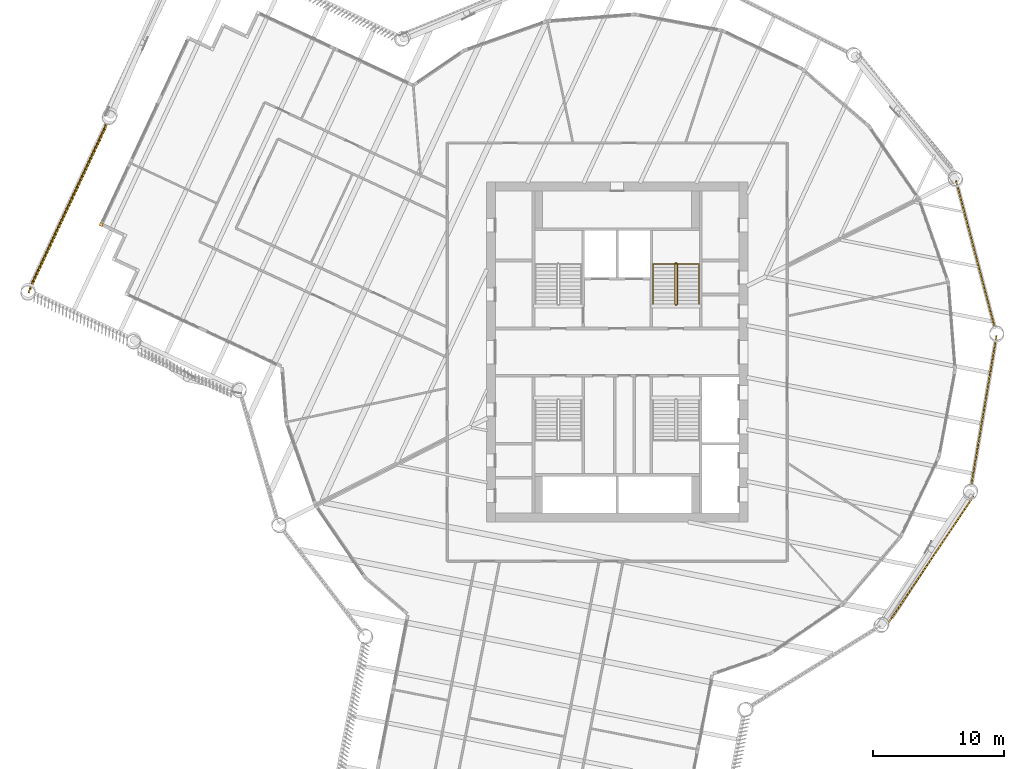
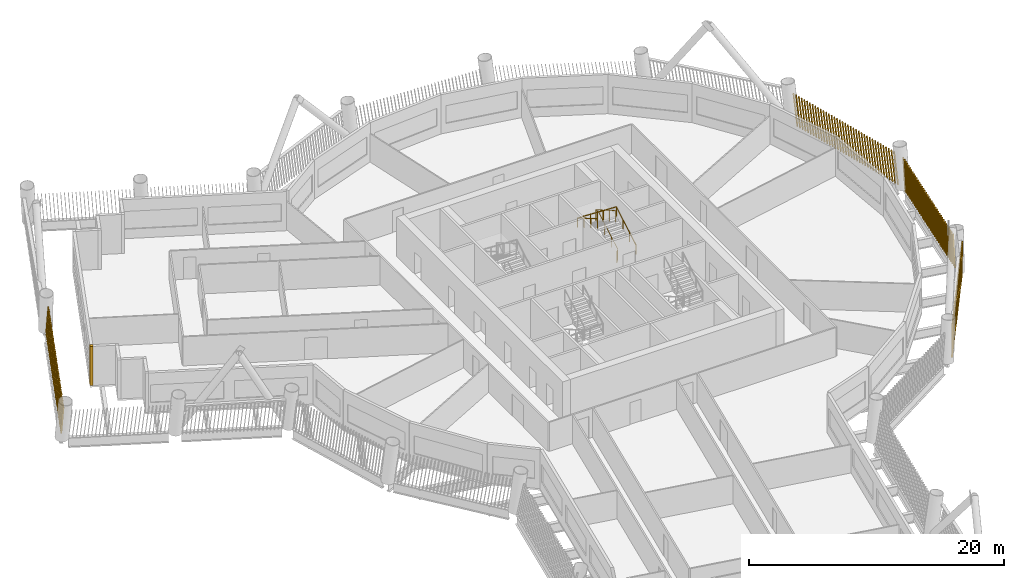
# One storey, part 22 of 24: 5 shading devices, 2 railings.
"""IFC4 building model written with IfcOpenShell, lengths in metres."""

from ifc_helpers import new_model, si_unit, direction, frame, frame_2d, origin, origin_2d, place, context, subcontext, project, spatial, rectangle, circle, composite_profile, extrude, material, type_object, element, save


model = new_model("IFC4")

# Units and contexts
model_context = context("Model", 3, precision=1e-05, world=origin(), true_north=direction((0.0, 1.0)))
body_context = subcontext(model_context, "Body", "Model", "MODEL_VIEW")
ifc_project = project(units=[si_unit("LENGTHUNIT", "METRE"), si_unit("AREAUNIT", "SQUARE_METRE"), si_unit("VOLUMEUNIT", "CUBIC_METRE"), si_unit("PLANEANGLEUNIT", "RADIAN"), si_unit("MASSUNIT", "GRAM", prefix="KILO")], contexts=[model_context])

# Site, building, storey
site_placement = place(None, origin())
site = spatial("IfcSite", under=ifc_project, at=site_placement, CompositionType="ELEMENT")
building_placement = place(site_placement, origin())
building = spatial("IfcBuilding", under=site, at=building_placement, Name="Tarsis Ring Headquarters", CompositionType="ELEMENT")
storey_placement = place(building_placement, frame((0.0, 0.0, 178.800048828125)))
storey = spatial("IfcBuildingStorey", under=building, at=storey_placement, Name="L41", CompositionType="ELEMENT", Elevation=178.800048828125)

# Railings
ifc_material_1 = material(Name="Steel S355", Category="steel")
railing_type_1 = type_object("IfcRailingType", Name="Core stair guard 1100", PredefinedType="GUARDRAIL", material=ifc_material_1)
railing_1_placement = place(storey_placement, frame((4.4599609375, 3.610107421875, 0.0)))
element("IfcRailing", 1, at=railing_1_placement, inside=storey, type_object=railing_type_1, Name="L41 ST2 stair guard 1", PredefinedType="GUARDRAIL", context=body_context, shape_type="SweptSolid", body=[
    extrude(circle(Radius=0.02392578125, at=origin_2d()), frame((0.0, 0.0, 1.076171875), z_axis=(1.0, 0.0, 0.0), x_axis=(0.0, 1.0, 0.0)), (0.0, 0.0, 1.0), 0.080078125),
    extrude(circle(Radius=0.02392578125, at=origin_2d()), frame((0.080078125, 0.0, 1.076171875), z_axis=(0.282693820306, 0.281314826061, 0.917031173188), x_axis=(-0.705375805398, 0.708833529934, 0.0)), (0.0, 0.0, 1.0), 0.177001953125),
    extrude(circle(Radius=0.02392578125, at=origin_2d()), frame((0.130126953125, 0.0498046875, 1.23828125), z_axis=(0.0, 0.864890721111, 0.501960198159), x_axis=(-1.0, 0.0, 0.0)), (0.0, 0.0, 1.0), 3.561279296875),
    extrude(circle(Radius=0.02392578125, at=origin_2d()), frame((0.130126953125, 3.1298828125, 3.02587890625), z_axis=(-0.707106781187, 0.707106781187, 0.0), x_axis=(-0.707106781187, -0.707106781187, 0.0)), (0.0, 0.0, 1.0), 0.07080078125),
    extrude(circle(Radius=0.02392578125, at=origin_2d()), frame((0.080078125, 3.179931640625, 3.02587890625), z_axis=(-1.0, 0.0, 0.0), x_axis=(0.0, -1.0, 0.0)), (0.0, 0.0, 1.0), 0.080078125),
    extrude(circle(Radius=0.02392578125, at=origin_2d()), frame((0.0, 3.179931640625, 3.02587890625), z_axis=(-0.282227285176, -0.282227285176, 0.916894497205), x_axis=(0.707106781187, -0.707106781187, 0.0)), (0.0, 0.0, 1.0), 0.17724609375),
    extrude(circle(Radius=0.02392578125, at=origin_2d()), frame((-0.050048828125, 3.1298828125, 3.1884765625), z_axis=(0.0, -0.864920483161, 0.501908913857), x_axis=(1.0, 0.0, 0.0)), (0.0, 0.0, 1.0), 3.56103515625),
    extrude(circle(Radius=0.02099609375, at=origin_2d()), origin(), (0.0, 0.0, 1.0), 1.052001953125),
    extrude(circle(Radius=0.02099609375, at=origin_2d()), frame((0.080078125, 0.0, 0.0)), (0.0, 0.0, 1.0), 1.052001953125),
    extrude(circle(Radius=0.02099609375, at=origin_2d()), frame((0.130126953125, 0.0498046875, 0.162353515625)), (0.0, 0.0, 1.0), 1.052001953125),
    extrude(circle(Radius=0.02099609375, at=origin_2d()), frame((0.130126953125, 1.076416015625, 0.75830078125)), (0.0, 0.0, 1.0), 1.052001953125),
    extrude(circle(Radius=0.02099609375, at=origin_2d()), frame((0.130126953125, 2.103271484375, 1.35400390625)), (0.0, 0.0, 1.0), 1.052001953125),
    extrude(circle(Radius=0.02099609375, at=origin_2d()), frame((0.130126953125, 3.1298828125, 1.949951171875)), (0.0, 0.0, 1.0), 1.052001953125),
    extrude(circle(Radius=0.02099609375, at=origin_2d()), frame((0.080078125, 3.179931640625, 1.949951171875)), (0.0, 0.0, 1.0), 1.052001953125),
    extrude(circle(Radius=0.02099609375, at=origin_2d()), frame((0.0, 3.179931640625, 1.949951171875)), (0.0, 0.0, 1.0), 1.052001953125),
    extrude(circle(Radius=0.02099609375, at=origin_2d()), frame((-0.050048828125, 3.1298828125, 2.112548828125)), (0.0, 0.0, 1.0), 1.052001953125),
    extrude(circle(Radius=0.02099609375, at=origin_2d()), frame((-0.050048828125, 2.103271484375, 2.708251953125)), (0.0, 0.0, 1.0), 1.052001953125),
    extrude(circle(Radius=0.02099609375, at=origin_2d()), frame((-0.050048828125, 1.076416015625, 3.30419921875)), (0.0, 0.0, 1.0), 1.052001953125),
    extrude(circle(Radius=0.02099609375, at=origin_2d()), frame((-0.050048828125, 0.0498046875, 3.89990234375)), (0.0, 0.0, 1.0), 1.052001953125),
])
railing_type_2 = type_object("IfcRailingType", Name="Core stair handrail 900", PredefinedType="HANDRAIL", material=ifc_material_1)
railing_2_placement = place(storey_placement, frame((6.25, 3.659912109375, 0.162353515625)))
element("IfcRailing", 2, at=railing_2_placement, inside=storey, type_object=railing_type_2, Name="L41 ST2 stair handrail 1", PredefinedType="HANDRAIL", context=body_context, shape_type="SweptSolid", body=[
    extrude(circle(Radius=0.02392578125, at=origin_2d()), frame((0.0, 0.0, 0.8759765625), z_axis=(0.0, 0.864890721111, 0.501960198159), x_axis=(-1.0, 0.0, 0.0)), (0.0, 0.0, 1.0), 3.561279296875),
    extrude(circle(Radius=0.02392578125, at=origin_2d()), frame((0.0, 3.080078125, 2.66357421875), z_axis=(-0.998922641604, 0.0, 0.046406422943), x_axis=(0.0, -1.0, 0.0)), (0.0, 0.0, 1.0), 3.503662109375),
    extrude(circle(Radius=0.02392578125, at=origin_2d()), frame((-3.5, 3.080078125, 2.826171875), z_axis=(0.0, -0.864920483161, 0.501908913857), x_axis=(1.0, 0.0, 0.0)), (0.0, 0.0, 1.0), 3.56103515625),
    extrude(circle(Radius=0.02099609375, at=origin_2d()), origin(), (0.0, 0.0, 1.0), 0.851806640625),
    extrude(circle(Radius=0.02099609375, at=origin_2d()), frame((0.0, 1.026611328125, 0.595947265625)), (0.0, 0.0, 1.0), 0.851806640625),
    extrude(circle(Radius=0.02099609375, at=origin_2d()), frame((0.0, 2.053466796875, 1.191650390625)), (0.0, 0.0, 1.0), 0.851806640625),
    extrude(circle(Radius=0.02099609375, at=origin_2d()), frame((0.0, 3.080078125, 1.78759765625)), (0.0, 0.0, 1.0), 0.851806640625),
    extrude(circle(Radius=0.02099609375, at=origin_2d()), frame((-1.166748046875, 3.080078125, 1.841796875)), (0.0, 0.0, 1.0), 0.851806640625),
    extrude(circle(Radius=0.02099609375, at=origin_2d()), frame((-2.333251953125, 3.080078125, 1.89599609375)), (0.0, 0.0, 1.0), 0.851806640625),
    extrude(circle(Radius=0.02099609375, at=origin_2d()), frame((-3.5, 3.080078125, 1.9501953125)), (0.0, 0.0, 1.0), 0.851806640625),
    extrude(circle(Radius=0.02099609375, at=origin_2d()), frame((-3.5, 2.053466796875, 2.5458984375)), (0.0, 0.0, 1.0), 0.851806640625),
    extrude(circle(Radius=0.02099609375, at=origin_2d()), frame((-3.5, 1.026611328125, 3.141845703125)), (0.0, 0.0, 1.0), 0.851806640625),
    extrude(circle(Radius=0.02099609375, at=origin_2d()), frame((-3.5, 0.0, 3.737548828125)), (0.0, 0.0, 1.0), 0.851806640625),
])

# Shading devices
ifc_material_2 = material(Name="Terracotta baguette", Category="masonry")
shading_device_type_1 = type_object("IfcShadingDeviceType", Name="Terracotta baguette screen", PredefinedType="USERDEFINED", material=ifc_material_2)
shading_device_1_placement = place(storey_placement, frame((20.737060546875, -20.720947265625, 0.0), z_axis=(0.0, 0.0, 1.0), x_axis=(0.557981551818, 0.829864351601, 0.0)))
element("IfcShadingDevice", 3, at=shading_device_1_placement, inside=storey, type_object=shading_device_type_1, Name="Baguette screen L41-08", ObjectType="Terracotta baguette screen", PredefinedType="USERDEFINED", context=body_context, shape_type="SweptSolid", body=[
    extrude(composite_profile([rectangle(XDim=0.06005859375, YDim=0.1201171875, at=frame_2d((0.030029296875, 0.0))), rectangle(XDim=0.06005859375, YDim=0.1201171875, at=frame_2d((0.33251953125, 0.0))), rectangle(XDim=0.06005859375, YDim=0.1201171875, at=frame_2d((0.634765625, 0.0))), rectangle(XDim=0.06005859375, YDim=0.1201171875, at=frame_2d((0.937255859375, 0.0))), rectangle(XDim=0.06005859375, YDim=0.1201171875, at=frame_2d((1.239501953125, 0.0))), rectangle(XDim=0.06005859375, YDim=0.1201171875, at=frame_2d((1.5419921875, 0.0))), rectangle(XDim=0.06005859375, YDim=0.1201171875, at=frame_2d((1.844482421875, 0.0))), rectangle(XDim=0.06005859375, YDim=0.1201171875, at=frame_2d((2.146728515625, 0.0))), rectangle(XDim=0.06005859375, YDim=0.1201171875, at=frame_2d((2.44921875, 0.0))), rectangle(XDim=0.06005859375, YDim=0.1201171875, at=frame_2d((2.751708984375, 0.0))), rectangle(XDim=0.06005859375, YDim=0.1201171875, at=frame_2d((3.053955078125, 0.0))), rectangle(XDim=0.06005859375, YDim=0.1201171875, at=frame_2d((3.3564453125, 0.0))), rectangle(XDim=0.06005859375, YDim=0.1201171875, at=frame_2d((3.65869140625, 0.0))), rectangle(XDim=0.06005859375, YDim=0.1201171875, at=frame_2d((3.961181640625, 0.0))), rectangle(XDim=0.06005859375, YDim=0.1201171875, at=frame_2d((4.263671875, 0.0))), rectangle(XDim=0.06005859375, YDim=0.1201171875, at=frame_2d((4.56591796875, 0.0))), rectangle(XDim=0.06005859375, YDim=0.1201171875, at=frame_2d((4.868408203125, 0.0))), rectangle(XDim=0.06005859375, YDim=0.1201171875, at=frame_2d((5.1708984375, 0.0))), rectangle(XDim=0.06005859375, YDim=0.1201171875, at=frame_2d((5.47314453125, 0.0))), rectangle(XDim=0.06005859375, YDim=0.1201171875, at=frame_2d((5.775634765625, 0.0))), rectangle(XDim=0.06005859375, YDim=0.1201171875, at=frame_2d((6.077880859375, 0.0))), rectangle(XDim=0.06005859375, YDim=0.1201171875, at=frame_2d((6.38037109375, 0.0))), rectangle(XDim=0.06005859375, YDim=0.1201171875, at=frame_2d((6.682861328125, 0.0))), rectangle(XDim=0.06005859375, YDim=0.1201171875, at=frame_2d((6.985107421875, 0.0))), rectangle(XDim=0.06005859375, YDim=0.1201171875, at=frame_2d((7.28759765625, 0.0))), rectangle(XDim=0.06005859375, YDim=0.1201171875, at=frame_2d((7.590087890625, 0.0))), rectangle(XDim=0.06005859375, YDim=0.1201171875, at=frame_2d((7.892333984375, 0.0))), rectangle(XDim=0.06005859375, YDim=0.1201171875, at=frame_2d((8.19482421875, 0.0))), rectangle(XDim=0.06005859375, YDim=0.1201171875, at=frame_2d((8.4970703125, 0.0))), rectangle(XDim=0.06005859375, YDim=0.1201171875, at=frame_2d((8.799560546875, 0.0))), rectangle(XDim=0.06005859375, YDim=0.1201171875, at=frame_2d((9.10205078125, 0.0))), rectangle(XDim=0.06005859375, YDim=0.1201171875, at=frame_2d((9.404296875, 0.0))), rectangle(XDim=0.06005859375, YDim=0.1201171875, at=frame_2d((9.706787109375, 0.0))), rectangle(XDim=0.06005859375, YDim=0.1201171875, at=frame_2d((10.00927734375, 0.0))), rectangle(XDim=0.06005859375, YDim=0.1201171875, at=frame_2d((10.3115234375, 0.0))), rectangle(XDim=0.06005859375, YDim=0.1201171875, at=frame_2d((10.614013671875, 0.0))), rectangle(XDim=0.06005859375, YDim=0.1201171875, at=frame_2d((10.916259765625, 0.0))), rectangle(XDim=0.06005859375, YDim=0.1201171875, at=frame_2d((11.21875, 0.0)))]), origin(), (0.15142677804, 0.00118858083, 0.988467762837), 2.984375),
])
shading_device_2_placement = place(storey_placement, frame((27.064697265625, -10.268798828125, 0.0), z_axis=(0.0, 0.0, 1.0), x_axis=(0.166312179877, 0.986066498828, 0.0)))
element("IfcShadingDevice", 4, at=shading_device_2_placement, inside=storey, type_object=shading_device_type_1, Name="Baguette screen L41-09", ObjectType="Terracotta baguette screen", PredefinedType="USERDEFINED", context=body_context, shape_type="SweptSolid", body=[
    extrude(composite_profile([rectangle(XDim=0.06005859375, YDim=0.1201171875, at=frame_2d((0.030029296875, 0.0))), rectangle(XDim=0.06005859375, YDim=0.1201171875, at=frame_2d((0.33251953125, 0.0))), rectangle(XDim=0.06005859375, YDim=0.1201171875, at=frame_2d((0.634765625, 0.0))), rectangle(XDim=0.06005859375, YDim=0.1201171875, at=frame_2d((0.937255859375, 0.0))), rectangle(XDim=0.06005859375, YDim=0.1201171875, at=frame_2d((1.239501953125, 0.0))), rectangle(XDim=0.06005859375, YDim=0.1201171875, at=frame_2d((1.5419921875, 0.0))), rectangle(XDim=0.06005859375, YDim=0.1201171875, at=frame_2d((1.844482421875, 0.0))), rectangle(XDim=0.06005859375, YDim=0.1201171875, at=frame_2d((2.146728515625, 0.0))), rectangle(XDim=0.06005859375, YDim=0.1201171875, at=frame_2d((2.44921875, 0.0))), rectangle(XDim=0.06005859375, YDim=0.1201171875, at=frame_2d((2.751708984375, 0.0))), rectangle(XDim=0.06005859375, YDim=0.1201171875, at=frame_2d((3.053955078125, 0.0))), rectangle(XDim=0.06005859375, YDim=0.1201171875, at=frame_2d((3.3564453125, 0.0))), rectangle(XDim=0.06005859375, YDim=0.1201171875, at=frame_2d((3.65869140625, 0.0))), rectangle(XDim=0.06005859375, YDim=0.1201171875, at=frame_2d((3.961181640625, 0.0))), rectangle(XDim=0.06005859375, YDim=0.1201171875, at=frame_2d((4.263671875, 0.0))), rectangle(XDim=0.06005859375, YDim=0.1201171875, at=frame_2d((4.56591796875, 0.0))), rectangle(XDim=0.06005859375, YDim=0.1201171875, at=frame_2d((4.868408203125, 0.0))), rectangle(XDim=0.06005859375, YDim=0.1201171875, at=frame_2d((5.1708984375, 0.0))), rectangle(XDim=0.06005859375, YDim=0.1201171875, at=frame_2d((5.47314453125, 0.0))), rectangle(XDim=0.06005859375, YDim=0.1201171875, at=frame_2d((5.775634765625, 0.0))), rectangle(XDim=0.06005859375, YDim=0.1201171875, at=frame_2d((6.077880859375, 0.0))), rectangle(XDim=0.06005859375, YDim=0.1201171875, at=frame_2d((6.38037109375, 0.0))), rectangle(XDim=0.06005859375, YDim=0.1201171875, at=frame_2d((6.682861328125, 0.0))), rectangle(XDim=0.06005859375, YDim=0.1201171875, at=frame_2d((6.985107421875, 0.0))), rectangle(XDim=0.06005859375, YDim=0.1201171875, at=frame_2d((7.28759765625, 0.0))), rectangle(XDim=0.06005859375, YDim=0.1201171875, at=frame_2d((7.590087890625, 0.0))), rectangle(XDim=0.06005859375, YDim=0.1201171875, at=frame_2d((7.892333984375, 0.0))), rectangle(XDim=0.06005859375, YDim=0.1201171875, at=frame_2d((8.19482421875, 0.0))), rectangle(XDim=0.06005859375, YDim=0.1201171875, at=frame_2d((8.4970703125, 0.0))), rectangle(XDim=0.06005859375, YDim=0.1201171875, at=frame_2d((8.799560546875, 0.0))), rectangle(XDim=0.06005859375, YDim=0.1201171875, at=frame_2d((9.10205078125, 0.0))), rectangle(XDim=0.06005859375, YDim=0.1201171875, at=frame_2d((9.404296875, 0.0))), rectangle(XDim=0.06005859375, YDim=0.1201171875, at=frame_2d((9.706787109375, 0.0))), rectangle(XDim=0.06005859375, YDim=0.1201171875, at=frame_2d((10.00927734375, 0.0))), rectangle(XDim=0.06005859375, YDim=0.1201171875, at=frame_2d((10.3115234375, 0.0))), rectangle(XDim=0.06005859375, YDim=0.1201171875, at=frame_2d((10.614013671875, 0.0))), rectangle(XDim=0.06005859375, YDim=0.1201171875, at=frame_2d((10.916259765625, 0.0))), rectangle(XDim=0.06005859375, YDim=0.1201171875, at=frame_2d((11.21875, 0.0)))]), origin(), (0.149495022144, 0.001173634542, 0.988761781693), 2.9833984375),
])
shading_device_3_placement = place(storey_placement, frame((28.89111328125, 1.800048828125, 0.0), z_axis=(0.0, 0.0, 1.0), x_axis=(-0.254910472056, 0.966966901791, 0.0)))
element("IfcShadingDevice", 5, at=shading_device_3_placement, inside=storey, type_object=shading_device_type_1, Name="Baguette screen L41-10", ObjectType="Terracotta baguette screen", PredefinedType="USERDEFINED", context=body_context, shape_type="SweptSolid", body=[
    extrude(composite_profile([rectangle(XDim=0.06005859375, YDim=0.1201171875, at=frame_2d((0.030029296875, 0.0))), rectangle(XDim=0.06005859375, YDim=0.1201171875, at=frame_2d((0.33251953125, 0.0))), rectangle(XDim=0.06005859375, YDim=0.1201171875, at=frame_2d((0.634765625, 0.0))), rectangle(XDim=0.06005859375, YDim=0.1201171875, at=frame_2d((0.937255859375, 0.0))), rectangle(XDim=0.06005859375, YDim=0.1201171875, at=frame_2d((1.239501953125, 0.0))), rectangle(XDim=0.06005859375, YDim=0.1201171875, at=frame_2d((1.5419921875, 0.0))), rectangle(XDim=0.06005859375, YDim=0.1201171875, at=frame_2d((1.844482421875, 0.0))), rectangle(XDim=0.06005859375, YDim=0.1201171875, at=frame_2d((2.146728515625, 0.0))), rectangle(XDim=0.06005859375, YDim=0.1201171875, at=frame_2d((2.44921875, 0.0))), rectangle(XDim=0.06005859375, YDim=0.1201171875, at=frame_2d((2.751708984375, 0.0))), rectangle(XDim=0.06005859375, YDim=0.1201171875, at=frame_2d((3.053955078125, 0.0))), rectangle(XDim=0.06005859375, YDim=0.1201171875, at=frame_2d((3.3564453125, 0.0))), rectangle(XDim=0.06005859375, YDim=0.1201171875, at=frame_2d((3.65869140625, 0.0))), rectangle(XDim=0.06005859375, YDim=0.1201171875, at=frame_2d((3.961181640625, 0.0))), rectangle(XDim=0.06005859375, YDim=0.1201171875, at=frame_2d((4.263671875, 0.0))), rectangle(XDim=0.06005859375, YDim=0.1201171875, at=frame_2d((4.56591796875, 0.0))), rectangle(XDim=0.06005859375, YDim=0.1201171875, at=frame_2d((4.868408203125, 0.0))), rectangle(XDim=0.06005859375, YDim=0.1201171875, at=frame_2d((5.1708984375, 0.0))), rectangle(XDim=0.06005859375, YDim=0.1201171875, at=frame_2d((5.47314453125, 0.0))), rectangle(XDim=0.06005859375, YDim=0.1201171875, at=frame_2d((5.775634765625, 0.0))), rectangle(XDim=0.06005859375, YDim=0.1201171875, at=frame_2d((6.077880859375, 0.0))), rectangle(XDim=0.06005859375, YDim=0.1201171875, at=frame_2d((6.38037109375, 0.0))), rectangle(XDim=0.06005859375, YDim=0.1201171875, at=frame_2d((6.682861328125, 0.0))), rectangle(XDim=0.06005859375, YDim=0.1201171875, at=frame_2d((6.985107421875, 0.0))), rectangle(XDim=0.06005859375, YDim=0.1201171875, at=frame_2d((7.28759765625, 0.0))), rectangle(XDim=0.06005859375, YDim=0.1201171875, at=frame_2d((7.590087890625, 0.0))), rectangle(XDim=0.06005859375, YDim=0.1201171875, at=frame_2d((7.892333984375, 0.0))), rectangle(XDim=0.06005859375, YDim=0.1201171875, at=frame_2d((8.19482421875, 0.0))), rectangle(XDim=0.06005859375, YDim=0.1201171875, at=frame_2d((8.4970703125, 0.0))), rectangle(XDim=0.06005859375, YDim=0.1201171875, at=frame_2d((8.799560546875, 0.0))), rectangle(XDim=0.06005859375, YDim=0.1201171875, at=frame_2d((9.10205078125, 0.0))), rectangle(XDim=0.06005859375, YDim=0.1201171875, at=frame_2d((9.404296875, 0.0))), rectangle(XDim=0.06005859375, YDim=0.1201171875, at=frame_2d((9.706787109375, 0.0))), rectangle(XDim=0.06005859375, YDim=0.1201171875, at=frame_2d((10.00927734375, 0.0))), rectangle(XDim=0.06005859375, YDim=0.1201171875, at=frame_2d((10.3115234375, 0.0))), rectangle(XDim=0.06005859375, YDim=0.1201171875, at=frame_2d((10.614013671875, 0.0))), rectangle(XDim=0.06005859375, YDim=0.1201171875, at=frame_2d((10.916259765625, 0.0))), rectangle(XDim=0.06005859375, YDim=0.1201171875, at=frame_2d((11.21875, 0.0)))]), origin(), (0.149496299065, 0.001175596182, 0.988761586299), 2.9833984375),
])
shading_device_4_placement = place(storey_placement, frame((-38.98291015625, 17.67578125, 0.0), z_axis=(0.0, 0.0, 1.0), x_axis=(-0.423564794339, -0.905864661654, 0.0)))
element("IfcShadingDevice", 6, at=shading_device_4_placement, inside=storey, type_object=shading_device_type_1, Name="Baguette screen L41-18", ObjectType="Terracotta baguette screen", PredefinedType="USERDEFINED", context=body_context, shape_type="SweptSolid", body=[
    extrude(composite_profile([rectangle(XDim=0.06005859375, YDim=0.1201171875, at=frame_2d((0.030029296875, 0.0))), rectangle(XDim=0.06005859375, YDim=0.1201171875, at=frame_2d((0.33544921875, 0.0))), rectangle(XDim=0.06005859375, YDim=0.1201171875, at=frame_2d((0.640625, 0.0))), rectangle(XDim=0.06005859375, YDim=0.1201171875, at=frame_2d((0.946044921875, 0.0))), rectangle(XDim=0.06005859375, YDim=0.1201171875, at=frame_2d((1.25146484375, 0.0))), rectangle(XDim=0.06005859375, YDim=0.1201171875, at=frame_2d((1.556640625, 0.0))), rectangle(XDim=0.06005859375, YDim=0.1201171875, at=frame_2d((1.862060546875, 0.0))), rectangle(XDim=0.06005859375, YDim=0.1201171875, at=frame_2d((2.16748046875, 0.0))), rectangle(XDim=0.06005859375, YDim=0.1201171875, at=frame_2d((2.47265625, 0.0))), rectangle(XDim=0.06005859375, YDim=0.1201171875, at=frame_2d((2.778076171875, 0.0))), rectangle(XDim=0.06005859375, YDim=0.1201171875, at=frame_2d((3.08349609375, 0.0))), rectangle(XDim=0.06005859375, YDim=0.1201171875, at=frame_2d((3.388671875, 0.0))), rectangle(XDim=0.06005859375, YDim=0.1201171875, at=frame_2d((3.694091796875, 0.0))), rectangle(XDim=0.06005859375, YDim=0.1201171875, at=frame_2d((3.99951171875, 0.0))), rectangle(XDim=0.06005859375, YDim=0.1201171875, at=frame_2d((4.3046875, 0.0))), rectangle(XDim=0.06005859375, YDim=0.1201171875, at=frame_2d((4.610107421875, 0.0))), rectangle(XDim=0.06005859375, YDim=0.1201171875, at=frame_2d((4.91552734375, 0.0))), rectangle(XDim=0.06005859375, YDim=0.1201171875, at=frame_2d((5.220703125, 0.0))), rectangle(XDim=0.06005859375, YDim=0.1201171875, at=frame_2d((5.526123046875, 0.0))), rectangle(XDim=0.06005859375, YDim=0.1201171875, at=frame_2d((5.83154296875, 0.0))), rectangle(XDim=0.06005859375, YDim=0.1201171875, at=frame_2d((6.13671875, 0.0))), rectangle(XDim=0.06005859375, YDim=0.1201171875, at=frame_2d((6.442138671875, 0.0))), rectangle(XDim=0.06005859375, YDim=0.1201171875, at=frame_2d((6.74755859375, 0.0))), rectangle(XDim=0.06005859375, YDim=0.1201171875, at=frame_2d((7.052734375, 0.0))), rectangle(XDim=0.06005859375, YDim=0.1201171875, at=frame_2d((7.358154296875, 0.0))), rectangle(XDim=0.06005859375, YDim=0.1201171875, at=frame_2d((7.66357421875, 0.0))), rectangle(XDim=0.06005859375, YDim=0.1201171875, at=frame_2d((7.96875, 0.0))), rectangle(XDim=0.06005859375, YDim=0.1201171875, at=frame_2d((8.274169921875, 0.0))), rectangle(XDim=0.06005859375, YDim=0.1201171875, at=frame_2d((8.57958984375, 0.0))), rectangle(XDim=0.06005859375, YDim=0.1201171875, at=frame_2d((8.884765625, 0.0))), rectangle(XDim=0.06005859375, YDim=0.1201171875, at=frame_2d((9.190185546875, 0.0))), rectangle(XDim=0.06005859375, YDim=0.1201171875, at=frame_2d((9.49560546875, 0.0))), rectangle(XDim=0.06005859375, YDim=0.1201171875, at=frame_2d((9.80078125, 0.0))), rectangle(XDim=0.06005859375, YDim=0.1201171875, at=frame_2d((10.106201171875, 0.0))), rectangle(XDim=0.06005859375, YDim=0.1201171875, at=frame_2d((10.41162109375, 0.0))), rectangle(XDim=0.06005859375, YDim=0.1201171875, at=frame_2d((10.716796875, 0.0))), rectangle(XDim=0.06005859375, YDim=0.1201171875, at=frame_2d((11.022216796875, 0.0))), rectangle(XDim=0.06005859375, YDim=0.1201171875, at=frame_2d((11.32763671875, 0.0))), rectangle(XDim=0.06005859375, YDim=0.1201171875, at=frame_2d((11.6328125, 0.0))), rectangle(XDim=0.06005859375, YDim=0.1201171875, at=frame_2d((11.938232421875, 0.0))), rectangle(XDim=0.06005859375, YDim=0.1201171875, at=frame_2d((12.24365234375, 0.0))), rectangle(XDim=0.06005859375, YDim=0.1201171875, at=frame_2d((12.548828125, 0.0))), rectangle(XDim=0.06005859375, YDim=0.1201171875, at=frame_2d((12.854248046875, 0.0))), rectangle(XDim=0.06005859375, YDim=0.1201171875, at=frame_2d((13.15966796875, 0.0))), rectangle(XDim=0.06005859375, YDim=0.1201171875, at=frame_2d((13.46484375, 0.0))), rectangle(XDim=0.06005859375, YDim=0.1201171875, at=frame_2d((13.770263671875, 0.0)))]), origin(), (0.221730377985, 0.040131963603, 0.974281820099), 3.02783203125),
])
shading_device_type_2 = type_object("IfcShadingDeviceType", Name="Terracotta corner baguette 250x250", PredefinedType="USERDEFINED", material=ifc_material_2)
shading_device_5_placement = place(storey_placement, frame((-39.45703125, 9.756103515625, 0.0), z_axis=(0.0, 0.0, 1.0), x_axis=(-0.423567113136, -0.90586472537, 0.0)))
element("IfcShadingDevice", 7, at=shading_device_5_placement, inside=storey, type_object=shading_device_type_2, Name="Corner baguette L41-37", ObjectType="Terracotta corner baguette", PredefinedType="USERDEFINED", context=body_context, shape_type="SweptSolid", body=[
    extrude(rectangle(XDim=0.25, YDim=0.25, at=origin_2d()), origin(), (0.0, 0.0, 1.0), 3.739990234375),
])

save(model, "model.ifc")
